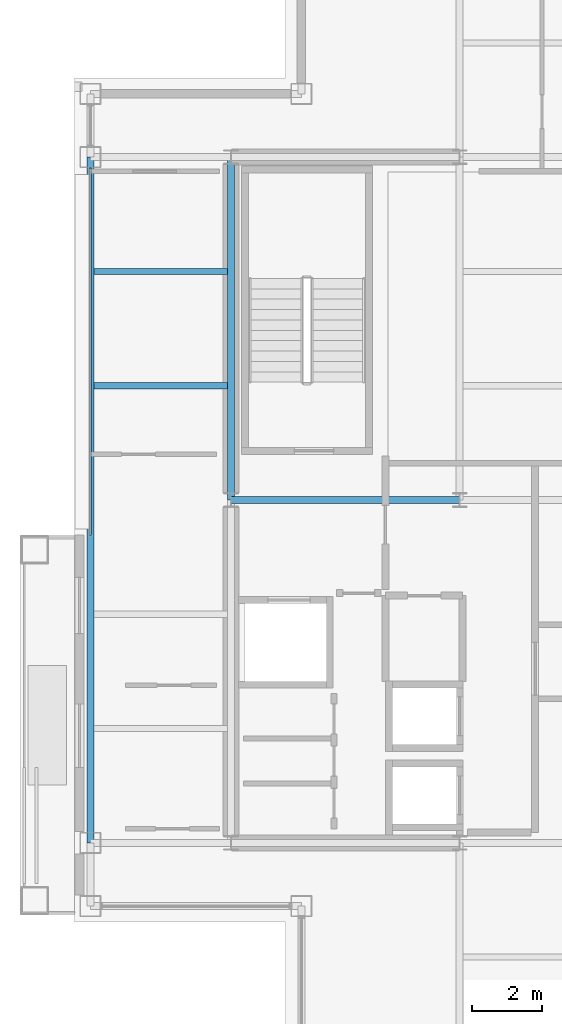
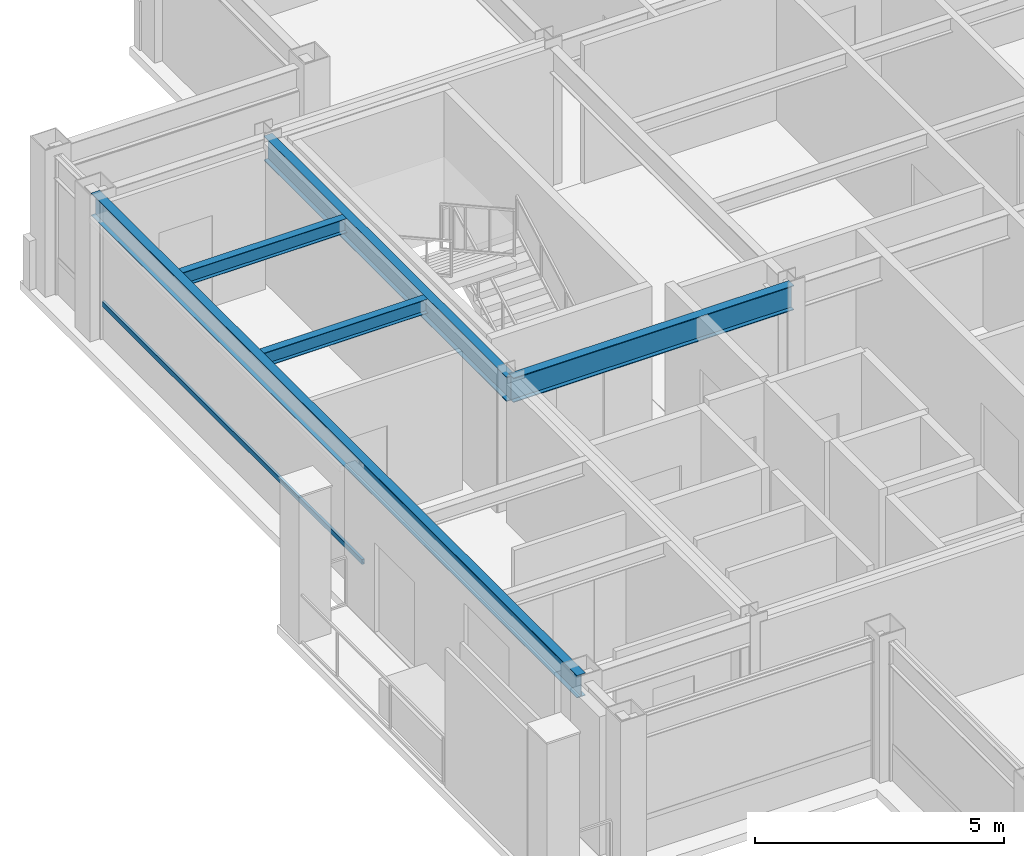
# One storey, part 10 of 24: 5 beams, 1 member, 1 element without a shape of its own.
"""IFC4 building model written with IfcOpenShell, lengths in metres."""

from ifc_helpers import new_model, si_unit, direction, frame, origin, origin_2d, place, context, subcontext, project, spatial, hollow_rectangle, i_section, extrude, material, layer, layer_set, material_profile, profile_set, type_object, element, aggregate, save


model = new_model("IFC4")

# Units and contexts
model_context = context("Model", 3, precision=1e-05, world=origin(), true_north=direction((0.0, 1.0)))
body_context = subcontext(model_context, "Body", "Model", "MODEL_VIEW")
ifc_project = project(units=[si_unit("LENGTHUNIT", "METRE"), si_unit("AREAUNIT", "SQUARE_METRE"), si_unit("VOLUMEUNIT", "CUBIC_METRE"), si_unit("PLANEANGLEUNIT", "RADIAN"), si_unit("MASSUNIT", "GRAM", prefix="KILO")], contexts=[model_context])

# Site, building, storey
site_placement = place(None, origin())
site = spatial("IfcSite", under=ifc_project, at=site_placement, CompositionType="ELEMENT")
building_placement = place(site_placement, origin())
building = spatial("IfcBuilding", under=site, at=building_placement, Name="Brelmoor Portico Tower", CompositionType="ELEMENT")
storey_placement = place(building_placement, frame((0.0, 0.0, 261.60009765625)))
storey = spatial("IfcBuildingStorey", under=building, at=storey_placement, Name="L69", CompositionType="ELEMENT", Elevation=261.60009765625)

# Beams
ifc_material_1 = material(Name="Steel Q355B", Category="steel")
ifc_material_profile_1 = material_profile(ifc_material_1, i_section(OverallWidth=0.175048828125, OverallDepth=0.35009765625, WebThickness=0.007080078125, FlangeThickness=0.010986328125, at=origin_2d()), Name="HN 350x175x7x11")
ifc_profile_set_1 = profile_set([ifc_material_profile_1], Name="Steel Q355B")
beam_type_1 = type_object("IfcBeamType", Name="BM-JS-350", PredefinedType="JOIST", material=ifc_profile_set_1)
for number, where, z_axis, x_axis, name in (
    (1, (-18.449951171875, 3.25, 3.224853515625), (1.0, 0.0, 0.0), (0.0, 1.0, 0.0), "L69 Secondary Wing Joist JS-W09"),
    (2, (-18.449951171875, 6.5, 3.224853515625), (1.0, 0.0, 0.0), (0.0, 1.0, 0.0), "L69 Secondary Wing Joist JS-W10"),
):
    element("IfcBeam", number, at=place(storey_placement, frame(where, z_axis=z_axis, x_axis=x_axis)), inside=storey, type_object=beam_type_1, Name=name, PredefinedType="JOIST", context=body_context, shape_type="SweptSolid", body=[
        extrude(i_section(OverallWidth=0.175048828125, OverallDepth=0.35009765625, WebThickness=0.007080078125, FlangeThickness=0.010986328125, at=origin_2d()), origin(), (0.0, 0.0, 1.0), 3.800048828125),
    ])
ifc_material_profile_2 = material_profile(ifc_material_1, i_section(OverallWidth=0.199951171875, OverallDepth=0.60009765625, WebThickness=0.010986328125, FlangeThickness=0.01708984375, at=origin_2d()), Name="HN 600x200x11x17")
ifc_profile_set_2 = profile_set([ifc_material_profile_2], Name="Steel Q355B")
beam_type_2 = type_object("IfcBeamType", Name="BM-PG-600", PredefinedType="BEAM", material=ifc_profile_set_2)
beam_1_placement = place(storey_placement, frame((-14.550048828125, 0.0, 3.099853515625), z_axis=(0.0, 1.0, 0.0), x_axis=(-1.0, 0.0, 0.0)))
element("IfcBeam", 3, at=beam_1_placement, inside=storey, type_object=beam_type_2, Name="L69 Primary Floor Girder PG-02", PredefinedType="BEAM", context=body_context, shape_type="SweptSolid", body=[
    extrude(i_section(OverallWidth=0.199951171875, OverallDepth=0.60009765625, WebThickness=0.010986328125, FlangeThickness=0.01708984375, at=origin_2d()), origin(), (0.0, 0.0, 1.0), 9.75),
])
beam_2_placement = place(storey_placement, frame((-14.550048828125, 0.0, 3.099853515625), z_axis=(1.0, 0.0, 0.0), x_axis=(0.0, 1.0, 0.0)))
element("IfcBeam", 4, at=beam_2_placement, inside=storey, type_object=beam_type_2, Name="L69 Primary Floor Girder PG-16", PredefinedType="BEAM", context=body_context, shape_type="SweptSolid", body=[
    extrude(i_section(OverallWidth=0.199951171875, OverallDepth=0.60009765625, WebThickness=0.010986328125, FlangeThickness=0.01708984375, at=origin_2d()), origin(), (0.0, 0.0, 1.0), 6.5),
])
ifc_material_profile_3 = material_profile(ifc_material_1, i_section(OverallWidth=0.199951171875, OverallDepth=0.550048828125, WebThickness=0.010009765625, FlangeThickness=0.01611328125, at=origin_2d()), Name="HN 550x200x10x16")
ifc_profile_set_3 = profile_set([ifc_material_profile_3], Name="Steel Q355B")
beam_type_3 = type_object("IfcBeamType", Name="BM-SP-550", PredefinedType="SPANDREL", material=ifc_profile_set_3)
beam_3_placement = place(storey_placement, frame((-18.550048828125, -9.75, 3.125), z_axis=(0.0, 1.0, 0.0), x_axis=(-1.0, 0.0, 0.0)))
element("IfcBeam", 5, at=beam_3_placement, inside=storey, type_object=beam_type_3, Name="L69 Perimeter Spandrel Beam SP-12", PredefinedType="SPANDREL", context=body_context, shape_type="SweptSolid", body=[
    extrude(i_section(OverallWidth=0.199951171875, OverallDepth=0.550048828125, WebThickness=0.010009765625, FlangeThickness=0.01611328125, at=origin_2d()), origin(), (0.0, 0.0, 1.0), 19.5),
])

# Curtain wall, member
ifc_material_2 = material(Name="Anodised Aluminium Alloy 6063-T6", Category="aluminium")
ifc_layer = layer(ifc_material_2, 0.179931640625)
ifc_layer_set = layer_set([ifc_layer], Name="Anodised Aluminium Alloy 6063-T6")
curtain_wall_type = type_object("IfcCurtainWallType", Name="CW-TOWER-Z4", PredefinedType="NOTDEFINED", material=ifc_layer_set)
curtain_wall_placement = place(storey_placement, origin())
curtain_wall = element("IfcCurtainWall", 6, at=curtain_wall_placement, inside=storey, type_object=curtain_wall_type, Name="L69 Curtain Wall CW-L69-3R-1", PredefinedType="NOTDEFINED")
ifc_material_profile_4 = material_profile(ifc_material_2, hollow_rectangle(XDim=0.06005859375, YDim=0.125, WallThickness=0.00341796875, at=origin_2d()), Name="ALU TRANSOM 60x125")
ifc_profile_set_4 = profile_set([ifc_material_profile_4], Name="Anodised Aluminium Alloy 6063-T6")
member_type = type_object("IfcMemberType", Name="MB-CW-TRAN-125", PredefinedType="USERDEFINED", material=ifc_profile_set_4)
member_placement = place(storey_placement, frame((-18.550048828125, -1.0, 0.849853515625), z_axis=(0.0, 1.0, 0.0), x_axis=(-1.0, 0.0, 0.0)))
member = element("IfcMember", 7, at=member_placement, type_object=member_type, Name="CW-L69-3R-1 Transom 1-00", ObjectType="TRANSOM", PredefinedType="USERDEFINED", context=body_context, shape_type="SweptSolid", body=[
    extrude(hollow_rectangle(XDim=0.06005859375, YDim=0.125, WallThickness=0.00341796875, at=origin_2d()), origin(), (0.0, 0.0, 1.0), 10.43994140625),
])
aggregate(curtain_wall, [member])

save(model, "model.ifc")
